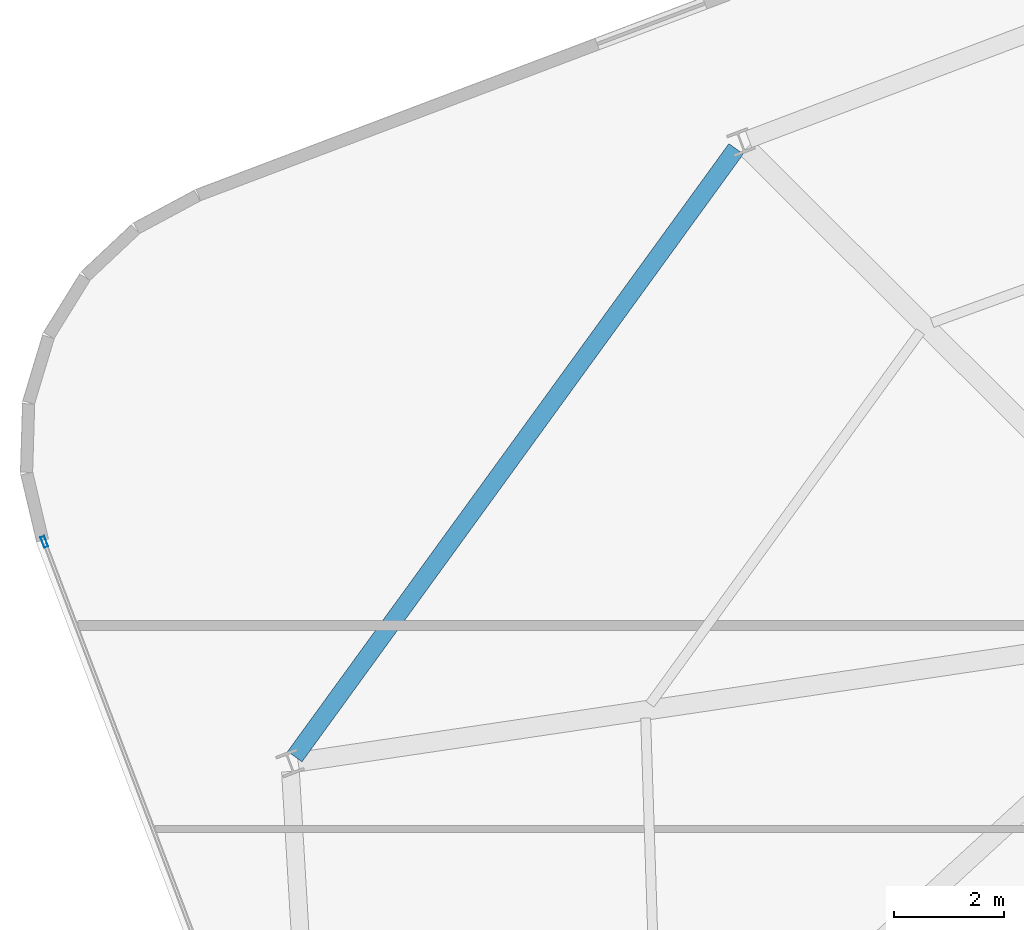
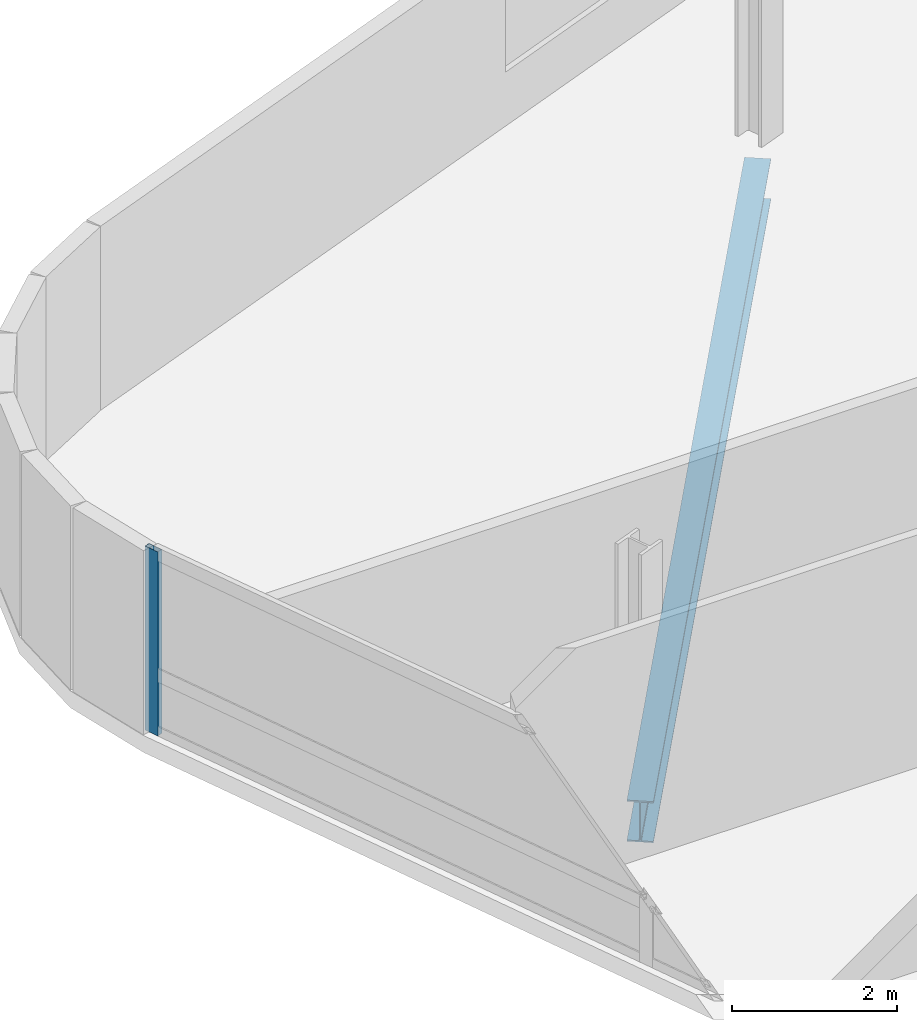
# One storey, part 10 of 24: 1 beam, 1 member, 1 element without a shape of its own.
"""IFC4 building model written with IfcOpenShell, lengths in metres."""

import ifcopenshell
import ifcopenshell.guid

model = None  # the IFC model being written
_history = None  # IfcOwnerHistory: only IFC2X3 demands one
_inside = {}  # id of a spatial element -> (the spatial element, [elements in it])
_under = {}  # id of a project, library or spatial element -> (it, [spatial elements below it])
_declared = {}  # id of a project -> (the project, [libraries it declares])
_typed = {}  # id of a type object -> (the type object, [elements of that type])
_made_of = {}  # id of a material, layer set ... -> (it, [elements and type objects made of it])


def new_model(schema):
    """Start an empty IFC model of exactly this schema.

    Asked for "IFC4X3", IfcOpenShell would pick the latest addendum, in which some entities
    have other attributes; the version numbers below select the first issue.
    IFC2X3 requires an IfcOwnerHistory on every rooted entity: one is made here for all.
    """
    global model, _history
    if schema == "IFC4X3":
        model = ifcopenshell.file(schema_version=(4, 3, 0, 0))
    else:
        model = ifcopenshell.file(schema=schema)
    _inside.clear()
    _under.clear()
    _declared.clear()
    _typed.clear()
    _made_of.clear()
    _history = None
    if model.schema == "IFC2X3":
        org = make("IfcOrganization", Name="unknown")
        user = make(
            "IfcPersonAndOrganization",
            ThePerson=make("IfcPerson", FamilyName="unknown"),
            TheOrganization=org,
        )
        app = make(
            "IfcApplication",
            ApplicationDeveloper=org,
            Version="unknown",
            ApplicationFullName="unknown",
            ApplicationIdentifier="unknown",
        )
        _history = make(
            "IfcOwnerHistory",
            OwningUser=user,
            OwningApplication=app,
            ChangeAction="ADDED",
            CreationDate=0,
        )
    return model


def make(cls, **values):
    """One entity of the class cls with the attributes given. An attribute that is None is left unset."""
    return model.create_entity(
        cls, **{name: value for name, value in values.items() if value is not None}
    )


def rooted(cls, **values):
    """An entity with a GlobalId (a new one), such as an element, a storey or a relation."""
    return make(cls, GlobalId=ifcopenshell.guid.new(), OwnerHistory=_history, **values)


def si_unit(unit_type, name, prefix=None):
    """IfcSIUnit, for example si_unit("LENGTHUNIT", "METRE", prefix="MILLI")."""
    return make("IfcSIUnit", UnitType=unit_type, Prefix=prefix, Name=name)


def assignment(units):
    """IfcUnitAssignment: the units of a project."""
    return None if units is None else make("IfcUnitAssignment", Units=units)


def point(xyz):
    """IfcCartesianPoint."""
    return None if xyz is None else make("IfcCartesianPoint", Coordinates=xyz)


def direction(xyz):
    """IfcDirection."""
    return None if xyz is None else make("IfcDirection", DirectionRatios=xyz)


def frame(location, z_axis=None, x_axis=None):
    """IfcAxis2Placement3D, a coordinate frame: its origin and axes. An axis left out is left unset."""
    return make(
        "IfcAxis2Placement3D",
        Location=point(location),
        Axis=direction(z_axis),
        RefDirection=direction(x_axis),
    )


def frame_2d(location, x_axis=None):
    """IfcAxis2Placement2D, a coordinate frame in the plane: its origin and x axis."""
    return make(
        "IfcAxis2Placement2D", Location=point(location), RefDirection=direction(x_axis)
    )


def origin():
    """The frame at (0, 0, 0) with its axes left unset."""
    return frame((0.0, 0.0, 0.0))


def origin_2d():
    """The frame at (0, 0) in the plane with its x axis left unset."""
    return frame_2d((0.0, 0.0))


def place(relative_to, where):
    """IfcLocalPlacement: puts the frame where relative to a parent placement (None: the world)."""
    return make(
        "IfcLocalPlacement", PlacementRelTo=relative_to, RelativePlacement=where
    )


def context(
    kind, dimensions, precision=None, world=None, true_north=None, identifier=None
):
    """IfcGeometricRepresentationContext, for example the 3D "Model" context."""
    return make(
        "IfcGeometricRepresentationContext",
        ContextIdentifier=identifier,
        ContextType=kind,
        CoordinateSpaceDimension=dimensions,
        Precision=precision,
        WorldCoordinateSystem=world,
        TrueNorth=true_north,
    )


def subcontext(parent, identifier, kind, view, scale=None):
    """IfcGeometricRepresentationSubContext, for example "Body" below "Model"."""
    return make(
        "IfcGeometricRepresentationSubContext",
        ContextIdentifier=identifier,
        ContextType=kind,
        ParentContext=parent,
        TargetScale=scale,
        TargetView=view,
    )


def project(units=None, contexts=None):
    """IfcProject with its units and contexts."""
    return rooted(
        "IfcProject",
        Name="project",
        RepresentationContexts=contexts,
        UnitsInContext=assignment(units),
    )


def spatial(cls, under=None, at=None, **own):
    """A site, building, storey or space (cls), placed at a placement, below another one or the project."""
    s = rooted(cls, ObjectPlacement=at, **own)
    if under is not None:
        _under.setdefault(under.id(), (under, []))[1].append(s)
    return s


def profile(cls, at=None, kind="AREA", **sizes):
    """A parametric profile (cls). Its sizes go by their IFC names, for example OverallWidth=200.0."""
    return make(cls, ProfileType=kind, Position=at, **sizes)


def hollow_rectangle(**sizes):
    """IfcRectangleHollowProfileDef."""
    return profile("IfcRectangleHollowProfileDef", **sizes)


def i_section(**sizes):
    """IfcIShapeProfileDef."""
    return profile("IfcIShapeProfileDef", **sizes)


def extrude(swept, where, along, depth):
    """IfcExtrudedAreaSolid: the profile swept, set in the frame where, extruded along a direction by depth."""
    return make(
        "IfcExtrudedAreaSolid",
        SweptArea=swept,
        Position=where,
        ExtrudedDirection=direction(along),
        Depth=depth,
    )


def shape(context_of_items, identifier, shape_type, items):
    """IfcShapeRepresentation: the items that make up one representation, for example the "Body"."""
    return make(
        "IfcShapeRepresentation",
        ContextOfItems=context_of_items,
        RepresentationIdentifier=identifier,
        RepresentationType=shape_type,
        Items=items,
    )


def material(Name=None, Category=None):
    """IfcMaterial."""
    return make("IfcMaterial", Name=Name, Category=Category)


def layer(
    of_material, thickness, ventilated=None, Name=None, Category=None, Priority=None
):
    """IfcMaterialLayer: one layer of a wall or slab, of a material (None: an air gap)."""
    return make(
        "IfcMaterialLayer",
        Material=of_material,
        LayerThickness=thickness,
        IsVentilated=ventilated,
        Name=Name,
        Category=Category,
        Priority=Priority,
    )


def layer_set(layers, Name=None):
    """IfcMaterialLayerSet."""
    return make("IfcMaterialLayerSet", MaterialLayers=layers, LayerSetName=Name)


def material_profile(
    of_material, cross_section, Name=None, Category=None, Priority=None
):
    """IfcMaterialProfile: a cross section and its material."""
    return make(
        "IfcMaterialProfile",
        Name=Name,
        Material=of_material,
        Profile=cross_section,
        Priority=Priority,
        Category=Category,
    )


def profile_set(profiles, Name=None, composite=None):
    """IfcMaterialProfileSet."""
    return make(
        "IfcMaterialProfileSet",
        Name=Name,
        MaterialProfiles=profiles,
        CompositeProfile=composite,
    )


def made_of(thing, what):
    """Note that an element or type object is made of a material, layer set ...; save() writes the relation."""
    if what is not None:
        _made_of.setdefault(what.id(), (what, []))[1].append(thing)
    return thing


def type_object(cls, material=None, **own):
    """A type object (cls), such as IfcWallType, which elements share."""
    return made_of(rooted(cls, **own), material)


def element(
    cls,
    number,
    at=None,
    inside=None,
    cuts=None,
    type_object=None,
    material=None,
    context=None,
    identifier="Body",
    shape_type=None,
    held_by="IfcProductDefinitionShape",
    body=None,
    shapes=None,
    **own,
):
    """One element of the class cls, such as IfcWall. Its Tag is "e" and its number.

    at: its placement. inside: the storey or other place that contains it. cuts: it is an
    opening in that element (IfcRelVoidsElement). A single representation is given by context,
    identifier, shape_type and body (its items); several are given by shapes. held_by: the class
    of the entity that holds the representations. save() writes the other relations.
    """
    e = rooted(cls, Tag="e%d" % number, ObjectPlacement=at, **own)
    if body is not None:
        shapes = [shape(context, identifier, shape_type, body)]
    if shapes is not None:
        e.Representation = make(held_by, Representations=shapes)
    if inside is not None:
        _inside.setdefault(inside.id(), (inside, []))[1].append(e)
    if cuts is not None:
        rooted(
            "IfcRelVoidsElement", RelatingBuildingElement=cuts, RelatedOpeningElement=e
        )
    if type_object is not None:
        _typed.setdefault(type_object.id(), (type_object, []))[1].append(e)
    return made_of(e, material)


def aggregate(whole, parts):
    """IfcRelAggregates: a whole, such as a stair, and the parts it consists of."""
    return rooted("IfcRelAggregates", RelatingObject=whole, RelatedObjects=parts)


def save(model, path):
    """Write the relations noted so far, then the file.

    IfcRelAggregates (storeys below a building ...), IfcRelContainedInSpatialStructure (elements
    in a storey), IfcRelDefinesByType, IfcRelAssociatesMaterial and IfcRelDeclares: one each for
    every whole, place, type object, material and project.
    """
    for whole, parts in _under.values():
        aggregate(whole, parts)
    for where, things in _inside.values():
        rooted(
            "IfcRelContainedInSpatialStructure",
            RelatedElements=things,
            RelatingStructure=where,
        )
    for kind, things in _typed.values():
        rooted("IfcRelDefinesByType", RelatedObjects=things, RelatingType=kind)
    for what, things in _made_of.values():
        rooted("IfcRelAssociatesMaterial", RelatedObjects=things, RelatingMaterial=what)
    for by, libraries in _declared.values():
        rooted("IfcRelDeclares", RelatingContext=by, RelatedDefinitions=libraries)
    model.write(path)


model = new_model("IFC4")

# Units and contexts
model_context = context("Model", 3, precision=1e-05, world=origin(), true_north=direction((0.0, 1.0)))
body_context = subcontext(model_context, "Body", "Model", "MODEL_VIEW")
ifc_project = project(units=[si_unit("LENGTHUNIT", "METRE"), si_unit("AREAUNIT", "SQUARE_METRE"), si_unit("VOLUMEUNIT", "CUBIC_METRE"), si_unit("PLANEANGLEUNIT", "RADIAN"), si_unit("MASSUNIT", "GRAM", prefix="KILO")], contexts=[model_context])

# Site, building, storey
site_placement = place(None, origin())
site = spatial("IfcSite", under=ifc_project, at=site_placement, CompositionType="ELEMENT")
building_placement = place(site_placement, origin())
building = spatial("IfcBuilding", under=site, at=building_placement, Name="Varnelok Gate Tower", CompositionType="ELEMENT")
storey_placement = place(building_placement, frame((0.0, 0.0, 242.300048828125)))
storey = spatial("IfcBuildingStorey", under=building, at=storey_placement, Name="L62", CompositionType="ELEMENT", Elevation=242.300048828125)

# Beam
ifc_material_1 = material(Name="Structural Steel ASTM A992 Grade 50", Category="steel")
ifc_material_profile_1 = material_profile(ifc_material_1, i_section(OverallWidth=0.323974609375, OverallDepth=0.611083984375, WebThickness=0.0126953125, FlangeThickness=0.01904296875, FilletRadius=0.01806640625, at=origin_2d()), Name="W24X104")
ifc_profile_set_1 = profile_set([ifc_material_profile_1], Name="Structural Steel ASTM A992 Grade 50")
beam_type = type_object("IfcBeamType", Name="BM-SPN-W24X104", PredefinedType="SPANDREL", material=ifc_profile_set_1)
beam_placement = place(storey_placement, frame((15.479736328125, 35.35009765625, -0.5556640625), z_axis=(-0.587549324529, -0.80918835338, 0.0), x_axis=(0.80918835338, -0.587549324529, 0.0)))
element("IfcBeam", 1, at=beam_placement, inside=storey, type_object=beam_type, Name="L62 Perimeter Spandrel Beam 13", PredefinedType="SPANDREL", context=body_context, shape_type="SweptSolid", body=[
    extrude(i_section(OverallWidth=0.323974609375, OverallDepth=0.611083984375, WebThickness=0.0126953125, FlangeThickness=0.01904296875, FilletRadius=0.01806640625, at=origin_2d()), origin(), (0.0, 0.0, 1.0), 13.6953125),
])

# Curtain wall, member
ifc_material_2 = material(Name="Anodized Aluminum Alloy 6063-T6", Category="aluminium")
ifc_layer = layer(ifc_material_2, 0.179931640625)
ifc_layer_set = layer_set([ifc_layer], Name="Anodized Aluminum Alloy 6063-T6")
curtain_wall_type = type_object("IfcCurtainWallType", Name="CW4-RESIDENCE-VISION", PredefinedType="USERDEFINED", material=ifc_layer_set)
curtain_wall_placement = place(storey_placement, origin())
curtain_wall = element("IfcCurtainWall", 2, at=curtain_wall_placement, inside=storey, type_object=curtain_wall_type, Name="L62 West End Vision Curtain Wall", ObjectType="UNITISED CURTAIN WALL", PredefinedType="USERDEFINED")
ifc_material_profile_2 = material_profile(ifc_material_2, hollow_rectangle(XDim=0.074951171875, YDim=0.199951171875, WallThickness=0.00390625, at=origin_2d()), Name="ALU200X75X4")
ifc_profile_set_2 = profile_set([ifc_material_profile_2], Name="Anodized Aluminum Alloy 6063-T6")
member_type = type_object("IfcMemberType", Name="CW-MULL-200", PredefinedType="MULLION", material=ifc_profile_set_2)
member_placement = place(storey_placement, frame((2.864990234375, 28.1845703125, 0.0), z_axis=(0.0, 0.0, 1.0), x_axis=(-0.935221557832, -0.354063042079, 0.0)))
member = element("IfcMember", 3, at=member_placement, type_object=member_type, Name="CW4 mullion 5", PredefinedType="MULLION", context=body_context, shape_type="SweptSolid", body=[
    extrude(hollow_rectangle(XDim=0.074951171875, YDim=0.199951171875, WallThickness=0.00390625, at=origin_2d()), origin(), (0.0, 0.0, 1.0), 2.72998046875),
])
aggregate(curtain_wall, [member])

save(model, "model.ifc")
